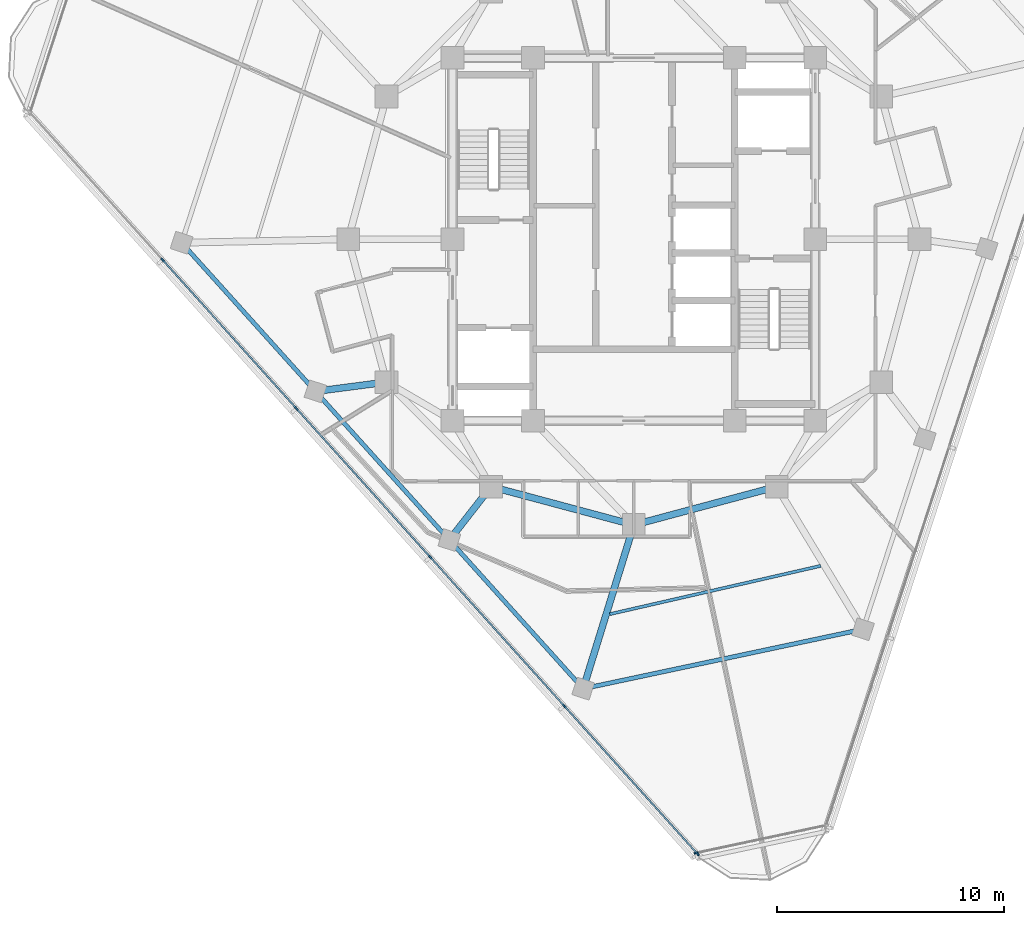
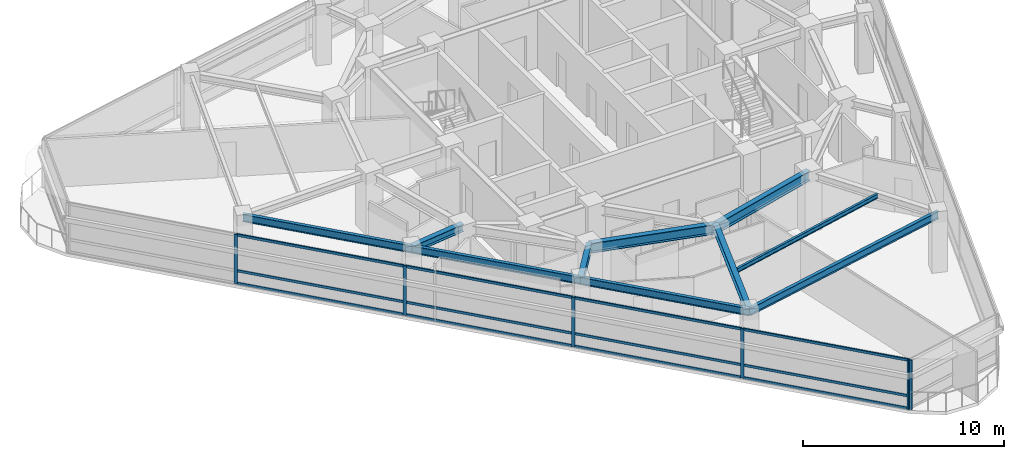
# One storey, part 2 of 15: 18 members, 10 beams, 2 elements without a shape of their own.
"""IFC4 building model written with IfcOpenShell, lengths in metres."""

from ifc_helpers import new_model, si_unit, direction, frame, origin, origin_2d, place, context, subcontext, project, spatial, rectangle, i_section, extrude, material, layer, layer_set, material_profile, profile_set, type_object, element, aggregate, save


model = new_model("IFC4")

# Units and contexts
model_context = context("Model", 3, precision=1e-05, world=origin(), true_north=direction((0.0, 1.0)))
body_context = subcontext(model_context, "Body", "Model", "MODEL_VIEW")
ifc_project = project(units=[si_unit("LENGTHUNIT", "METRE"), si_unit("AREAUNIT", "SQUARE_METRE"), si_unit("VOLUMEUNIT", "CUBIC_METRE"), si_unit("PLANEANGLEUNIT", "RADIAN"), si_unit("MASSUNIT", "GRAM", prefix="KILO")], contexts=[model_context])

# Site, building, storey
site_placement = place(None, origin())
site = spatial("IfcSite", under=ifc_project, at=site_placement, CompositionType="ELEMENT")
building_placement = place(site_placement, origin())
building = spatial("IfcBuilding", under=site, at=building_placement, Name="Terralouvre Media Tower", CompositionType="ELEMENT")
storey_placement = place(building_placement, frame((0.0, 0.0, 283.199951171875)))
storey = spatial("IfcBuildingStorey", under=building, at=storey_placement, Name="L73", CompositionType="ELEMENT", Elevation=283.199951171875)

# Beam
ifc_material_1 = material(Name="Structural steel S355J2", Category="steel")
ifc_material_profile_1 = material_profile(ifc_material_1, i_section(OverallWidth=0.135009765625, OverallDepth=0.27001953125, WebThickness=0.006591796875, FlangeThickness=0.01025390625, at=origin_2d()), Name="IPE 270")
ifc_profile_set_1 = profile_set([ifc_material_profile_1], Name="Structural steel S355J2")
beam_type_1 = type_object("IfcBeamType", Name="Composite Floor Joist J-IPE270 (IPE 270)", PredefinedType="JOIST", material=ifc_profile_set_1)
beam_1_placement = place(storey_placement, frame((-1.062744140625, -16.534912109375, 3.364990234375), z_axis=(0.974794010314, 0.223106784873, 0.0), x_axis=(-0.223106784873, 0.974794010314, 0.0)))
element("IfcBeam", 1, at=beam_1_placement, inside=storey, type_object=beam_type_1, Name="L73 Framing Beam JT-L73-02", PredefinedType="JOIST", context=body_context, shape_type="SweptSolid", body=[
    extrude(i_section(OverallWidth=0.135009765625, OverallDepth=0.27001953125, WebThickness=0.006591796875, FlangeThickness=0.01025390625, at=origin_2d()), origin(), (0.0, 0.0, 1.0), 9.544189453125),
])

# Curtain wall, members
ifc_material_2 = material(Name="Low-iron laminated double glazing with solar-control coating", Category="glass")
ifc_layer_1 = layer(ifc_material_2, 0.1650390625, Name="Faceted Glass-Point Crown Curtain Wall CW-06")
ifc_layer_set_1 = layer_set([ifc_layer_1], Name="Low-iron laminated double glazing with solar-control coating")
curtain_wall_type_1 = type_object("IfcCurtainWallType", Name="Faceted Glass-Point Crown Curtain Wall CW-06", PredefinedType="NOTDEFINED", material=ifc_layer_set_1)
curtain_wall_1_placement = place(storey_placement, origin())
curtain_wall_1 = element("IfcCurtainWall", 2, at=curtain_wall_1_placement, inside=storey, type_object=curtain_wall_type_1, Name="L73 Facade Curtain Wall F2", PredefinedType="NOTDEFINED")
ifc_material_3 = material(Name="Anodised extruded aluminium 6063-T6", Category="aluminium")
ifc_material_profile_2 = material_profile(ifc_material_3, rectangle(XDim=0.074951171875, YDim=0.14990234375, at=origin_2d()), Name="ALU 75x150")
ifc_profile_set_2 = profile_set([ifc_material_profile_2], Name="Anodised extruded aluminium 6063-T6")
member_type_1 = type_object("IfcMemberType", Name="Curtain-Wall Horizontal Transom TR-150", PredefinedType="USERDEFINED", material=ifc_profile_set_2)
member_1_placement = place(storey_placement, frame((-20.763671875, -0.935302734375, 0.03759765625), z_axis=(0.669121968521, -0.74315260293, 0.0), x_axis=(0.74315260293, 0.669121968521, 0.0)))
member_1 = element("IfcMember", 3, at=member_1_placement, type_object=member_type_1, Name="CW-06 transom 2.1", ObjectType="TRANSOM", PredefinedType="USERDEFINED", context=body_context, shape_type="SweptSolid", body=[
    extrude(rectangle(XDim=0.074951171875, YDim=0.14990234375, at=origin_2d()), origin(), (0.0, 0.0, 1.0), 8.749267578125),
])
member_2_placement = place(storey_placement, frame((-20.763671875, -0.935302734375, 0.800048828125), z_axis=(0.669121968521, -0.74315260293, 0.0), x_axis=(0.74315260293, 0.669121968521, 0.0)))
member_2 = element("IfcMember", 4, at=member_2_placement, type_object=member_type_1, Name="CW-06 transom 2.2", ObjectType="TRANSOM", PredefinedType="USERDEFINED", context=body_context, shape_type="SweptSolid", body=[
    extrude(rectangle(XDim=0.074951171875, YDim=0.14990234375, at=origin_2d()), origin(), (0.0, 0.0, 1.0), 8.749267578125),
])
member_3_placement = place(storey_placement, frame((-20.763671875, -0.935302734375, 2.962646484375), z_axis=(0.669121968521, -0.74315260293, 0.0), x_axis=(0.74315260293, 0.669121968521, 0.0)))
member_3 = element("IfcMember", 5, at=member_3_placement, type_object=member_type_1, Name="CW-06 transom 2.3", ObjectType="TRANSOM", PredefinedType="USERDEFINED", context=body_context, shape_type="SweptSolid", body=[
    extrude(rectangle(XDim=0.074951171875, YDim=0.14990234375, at=origin_2d()), origin(), (0.0, 0.0, 1.0), 8.749267578125),
])
member_4_placement = place(storey_placement, frame((-14.859375, -7.492919921875, 0.03759765625), z_axis=(0.669135844476, -0.743140109022, 0.0), x_axis=(0.743140109022, 0.669135844476, 0.0)))
member_4 = element("IfcMember", 6, at=member_4_placement, type_object=member_type_1, Name="CW-06 transom 3.1", ObjectType="TRANSOM", PredefinedType="USERDEFINED", context=body_context, shape_type="SweptSolid", body=[
    extrude(rectangle(XDim=0.074951171875, YDim=0.14990234375, at=origin_2d()), origin(), (0.0, 0.0, 1.0), 8.7490234375),
])
member_5_placement = place(storey_placement, frame((-14.859375, -7.492919921875, 0.800048828125), z_axis=(0.669135844476, -0.743140109022, 0.0), x_axis=(0.743140109022, 0.669135844476, 0.0)))
member_5 = element("IfcMember", 7, at=member_5_placement, type_object=member_type_1, Name="CW-06 transom 3.2", ObjectType="TRANSOM", PredefinedType="USERDEFINED", context=body_context, shape_type="SweptSolid", body=[
    extrude(rectangle(XDim=0.074951171875, YDim=0.14990234375, at=origin_2d()), origin(), (0.0, 0.0, 1.0), 8.7490234375),
])
member_6_placement = place(storey_placement, frame((-14.859375, -7.492919921875, 2.962646484375), z_axis=(0.669135844476, -0.743140109022, 0.0), x_axis=(0.743140109022, 0.669135844476, 0.0)))
member_6 = element("IfcMember", 8, at=member_6_placement, type_object=member_type_1, Name="CW-06 transom 3.3", ObjectType="TRANSOM", PredefinedType="USERDEFINED", context=body_context, shape_type="SweptSolid", body=[
    extrude(rectangle(XDim=0.074951171875, YDim=0.14990234375, at=origin_2d()), origin(), (0.0, 0.0, 1.0), 8.7490234375),
])
member_7_placement = place(storey_placement, frame((-8.954833984375, -14.050537109375, 0.03759765625), z_axis=(0.669135844476, -0.743140109022, 0.0), x_axis=(0.743140109022, 0.669135844476, 0.0)))
member_7 = element("IfcMember", 9, at=member_7_placement, type_object=member_type_1, Name="CW-06 transom 4.1", ObjectType="TRANSOM", PredefinedType="USERDEFINED", context=body_context, shape_type="SweptSolid", body=[
    extrude(rectangle(XDim=0.074951171875, YDim=0.14990234375, at=origin_2d()), origin(), (0.0, 0.0, 1.0), 8.7490234375),
])
member_8_placement = place(storey_placement, frame((-8.954833984375, -14.050537109375, 0.800048828125), z_axis=(0.669135844476, -0.743140109022, 0.0), x_axis=(0.743140109022, 0.669135844476, 0.0)))
member_8 = element("IfcMember", 10, at=member_8_placement, type_object=member_type_1, Name="CW-06 transom 4.2", ObjectType="TRANSOM", PredefinedType="USERDEFINED", context=body_context, shape_type="SweptSolid", body=[
    extrude(rectangle(XDim=0.074951171875, YDim=0.14990234375, at=origin_2d()), origin(), (0.0, 0.0, 1.0), 8.7490234375),
])
member_9_placement = place(storey_placement, frame((-8.954833984375, -14.050537109375, 2.962646484375), z_axis=(0.669135844476, -0.743140109022, 0.0), x_axis=(0.743140109022, 0.669135844476, 0.0)))
member_9 = element("IfcMember", 11, at=member_9_placement, type_object=member_type_1, Name="CW-06 transom 4.3", ObjectType="TRANSOM", PredefinedType="USERDEFINED", context=body_context, shape_type="SweptSolid", body=[
    extrude(rectangle(XDim=0.074951171875, YDim=0.14990234375, at=origin_2d()), origin(), (0.0, 0.0, 1.0), 8.7490234375),
])
member_10_placement = place(storey_placement, frame((-3.050537109375, -20.60791015625, 0.03759765625), z_axis=(0.669130389016, -0.743145021174, 0.0), x_axis=(0.743145021174, 0.669130389016, 0.0)))
member_10 = element("IfcMember", 12, at=member_10_placement, type_object=member_type_1, Name="CW-06 transom 5.1", ObjectType="TRANSOM", PredefinedType="USERDEFINED", context=body_context, shape_type="SweptSolid", body=[
    extrude(rectangle(XDim=0.074951171875, YDim=0.14990234375, at=origin_2d()), origin(), (0.0, 0.0, 1.0), 8.71142578125),
])
member_11_placement = place(storey_placement, frame((-3.050537109375, -20.60791015625, 0.800048828125), z_axis=(0.669130389016, -0.743145021174, 0.0), x_axis=(0.743145021174, 0.669130389016, 0.0)))
member_11 = element("IfcMember", 13, at=member_11_placement, type_object=member_type_1, Name="CW-06 transom 5.2", ObjectType="TRANSOM", PredefinedType="USERDEFINED", context=body_context, shape_type="SweptSolid", body=[
    extrude(rectangle(XDim=0.074951171875, YDim=0.14990234375, at=origin_2d()), origin(), (0.0, 0.0, 1.0), 8.71142578125),
])
member_12_placement = place(storey_placement, frame((-3.050537109375, -20.60791015625, 2.962646484375), z_axis=(0.669130389016, -0.743145021174, 0.0), x_axis=(0.743145021174, 0.669130389016, 0.0)))
member_12 = element("IfcMember", 14, at=member_12_placement, type_object=member_type_1, Name="CW-06 transom 5.3", ObjectType="TRANSOM", PredefinedType="USERDEFINED", context=body_context, shape_type="SweptSolid", body=[
    extrude(rectangle(XDim=0.074951171875, YDim=0.14990234375, at=origin_2d()), origin(), (0.0, 0.0, 1.0), 8.71142578125),
])
ifc_material_4 = material(Name="Anodised extruded aluminium 6063-T6", Category="aluminium")
ifc_material_profile_3 = material_profile(ifc_material_4, rectangle(XDim=0.074951171875, YDim=0.179931640625, at=origin_2d()), Name="ALU 75x180")
ifc_profile_set_3 = profile_set([ifc_material_profile_3], Name="Anodised extruded aluminium 6063-T6")
member_type_2 = type_object("IfcMemberType", Name="Curtain-Wall Vertical Mullion ML-180", PredefinedType="MULLION", material=ifc_profile_set_3)
member_13_placement = place(storey_placement, frame((-20.788818359375, -0.907470703125, 0.0), z_axis=(0.0, 0.0, 1.0), x_axis=(0.743144855036, 0.669130573531, 0.0)))
member_13 = element("IfcMember", 15, at=member_13_placement, type_object=member_type_2, Name="CW-06 mullion 2", PredefinedType="MULLION", context=body_context, shape_type="SweptSolid", body=[
    extrude(rectangle(XDim=0.074951171875, YDim=0.179931640625, at=origin_2d()), origin(), (0.0, 0.0, 1.0), 3.0),
])
member_14_placement = place(storey_placement, frame((-14.88427734375, -7.465087890625, 0.0), z_axis=(0.0, 0.0, 1.0), x_axis=(0.743144855036, 0.669130573531, 0.0)))
member_14 = element("IfcMember", 16, at=member_14_placement, type_object=member_type_2, Name="CW-06 mullion 3", PredefinedType="MULLION", context=body_context, shape_type="SweptSolid", body=[
    extrude(rectangle(XDim=0.074951171875, YDim=0.179931640625, at=origin_2d()), origin(), (0.0, 0.0, 1.0), 3.0),
])
member_15_placement = place(storey_placement, frame((-8.97998046875, -14.0224609375, 0.0), z_axis=(0.0, 0.0, 1.0), x_axis=(0.743144855036, 0.669130573531, 0.0)))
member_15 = element("IfcMember", 17, at=member_15_placement, type_object=member_type_2, Name="CW-06 mullion 4", PredefinedType="MULLION", context=body_context, shape_type="SweptSolid", body=[
    extrude(rectangle(XDim=0.074951171875, YDim=0.179931640625, at=origin_2d()), origin(), (0.0, 0.0, 1.0), 3.0),
])
member_16_placement = place(storey_placement, frame((-3.07568359375, -20.580078125, 0.0), z_axis=(0.0, 0.0, 1.0), x_axis=(0.743144855036, 0.669130573531, 0.0)))
member_16 = element("IfcMember", 18, at=member_16_placement, type_object=member_type_2, Name="CW-06 mullion 5", PredefinedType="MULLION", context=body_context, shape_type="SweptSolid", body=[
    extrude(rectangle(XDim=0.074951171875, YDim=0.179931640625, at=origin_2d()), origin(), (0.0, 0.0, 1.0), 3.0),
])
member_17_placement = place(storey_placement, frame((2.8037109375, -27.109619140625, 0.0), z_axis=(0.0, 0.0, 1.0), x_axis=(0.743144855036, 0.669130573531, 0.0)))
member_17 = element("IfcMember", 19, at=member_17_placement, type_object=member_type_2, Name="CW-06 mullion 6", PredefinedType="MULLION", context=body_context, shape_type="SweptSolid", body=[
    extrude(rectangle(XDim=0.074951171875, YDim=0.179931640625, at=origin_2d()), origin(), (0.0, 0.0, 1.0), 3.0),
])
aggregate(curtain_wall_1, [member_13, member_14, member_15, member_16, member_17, member_1, member_2, member_3, member_4, member_5, member_6, member_7, member_8, member_9, member_10, member_11, member_12])

# Curtain wall, member
ifc_material_5 = material(Name="Low-iron laminated double glazing with solar-control coating", Category="glass")
ifc_layer_2 = layer(ifc_material_5, 0.1650390625, Name="Rounded Wind-Corner Curved Glazing CW-04")
ifc_layer_set_2 = layer_set([ifc_layer_2], Name="Low-iron laminated double glazing with solar-control coating")
curtain_wall_type_2 = type_object("IfcCurtainWallType", Name="Rounded Wind-Corner Curved Glazing CW-04", PredefinedType="NOTDEFINED", material=ifc_layer_set_2)
curtain_wall_2_placement = place(storey_placement, origin())
curtain_wall_2 = element("IfcCurtainWall", 20, at=curtain_wall_2_placement, inside=storey, type_object=curtain_wall_type_2, Name="L73 Rounded Wind-Corner Curtain Wall C0", PredefinedType="NOTDEFINED")
member_18_placement = place(storey_placement, frame((2.747314453125, -27.0732421875, 0.0), z_axis=(0.0, 0.0, 1.0), x_axis=(-0.207911647592, 0.978147609922, 0.0)))
member_18 = element("IfcMember", 21, at=member_18_placement, type_object=member_type_2, Name="CW-04 mullion 1", PredefinedType="MULLION", context=body_context, shape_type="SweptSolid", body=[
    extrude(rectangle(XDim=0.074951171875, YDim=0.179931640625, at=origin_2d()), origin(), (0.0, 0.0, 1.0), 3.0),
])
aggregate(curtain_wall_2, [member_18])

# Beams
ifc_material_6 = material(Name="Structural steel S355J2", Category="steel")
ifc_material_profile_4 = material_profile(ifc_material_6, i_section(OverallWidth=0.18994140625, OverallDepth=0.449951171875, WebThickness=0.009521484375, FlangeThickness=0.0146484375, at=origin_2d()), Name="IPE 450")
ifc_profile_set_4 = profile_set([ifc_material_profile_4], Name="Structural steel S355J2")
beam_type_2 = type_object("IfcBeamType", Name="Perimeter Spandrel Beam SPB-450 (IPE 450)", PredefinedType="SPANDREL", material=ifc_profile_set_4)
for number, where, z_axis, x_axis, name in (
    (22, (-19.948974609375, -0.1513671875, 3.275146484375), (0.669117578136, -0.743156555935, 0.0), (0.743156555935, 0.669117578136, 0.0), "L73 Framing Beam BM-L73-PR01"),
    (23, (-14.044677734375, -6.708984375, 3.275146484375), (0.669146616148, -0.743130409887, 0.0), (0.743130409887, 0.669146616148, 0.0), "L73 Framing Beam BM-L73-PR02"),
    (24, (-8.14013671875, -13.266357421875, 3.275146484375), (0.669117578136, -0.743156555935, 0.0), (0.743156555935, 0.669117578136, 0.0), "L73 Framing Beam BM-L73-PR03"),
):
    element("IfcBeam", number, at=place(storey_placement, frame(where, z_axis=z_axis, x_axis=x_axis)), inside=storey, type_object=beam_type_2, Name=name, PredefinedType="SPANDREL", context=body_context, shape_type="SweptSolid", body=[
        extrude(i_section(OverallWidth=0.18994140625, OverallDepth=0.449951171875, WebThickness=0.009521484375, FlangeThickness=0.0146484375, at=origin_2d()), origin(), (0.0, 0.0, 1.0), 8.823974609375),
    ])
beam_2_placement = place(storey_placement, frame((-2.23583984375, -19.823974609375, 3.275146484375), z_axis=(0.978147391184, 0.207912676669, 0.0), x_axis=(-0.207912676669, 0.978147391184, 0.0)))
element("IfcBeam", 25, at=beam_2_placement, inside=storey, type_object=beam_type_2, Name="L73 Framing Beam BM-L73-PR04", PredefinedType="SPANDREL", context=body_context, shape_type="SweptSolid", body=[
    extrude(i_section(OverallWidth=0.18994140625, OverallDepth=0.449951171875, WebThickness=0.009521484375, FlangeThickness=0.0146484375, at=origin_2d()), origin(), (0.0, 0.0, 1.0), 12.6171875),
])
ifc_material_7 = material(Name="Structural steel S355J2", Category="steel")
ifc_material_profile_5 = material_profile(ifc_material_7, i_section(OverallWidth=0.300048828125, OverallDepth=0.449951171875, WebThickness=0.013916015625, FlangeThickness=0.02587890625, at=origin_2d()), Name="HEB 450")
ifc_profile_set_5 = profile_set([ifc_material_profile_5], Name="Structural steel S355J2")
beam_type_3 = type_object("IfcBeamType", Name="Primary Floor Girder B-HEB450 (HEB 450)", PredefinedType="BEAM", material=ifc_profile_set_5)
beam_3_placement = place(storey_placement, frame((-10.911865234375, -6.300048828125, 3.275146484375), z_axis=(-0.991587910477, -0.129434986756, 0.0), x_axis=(0.129434986756, -0.991587910477, 0.0)))
element("IfcBeam", 26, at=beam_3_placement, inside=storey, type_object=beam_type_3, Name="L73 Framing Beam BM-L73-RD02", PredefinedType="BEAM", context=body_context, shape_type="SweptSolid", body=[
    extrude(i_section(OverallWidth=0.300048828125, OverallDepth=0.449951171875, WebThickness=0.013916015625, FlangeThickness=0.02587890625, at=origin_2d()), origin(), (0.0, 0.0, 1.0), 3.159423828125),
])
beam_4_placement = place(storey_placement, frame((-6.300048828125, -10.911865234375, 3.275146484375), z_axis=(-0.615777211554, -0.787920316867, 0.0), x_axis=(0.787920316867, -0.615777211554, 0.0)))
element("IfcBeam", 27, at=beam_4_placement, inside=storey, type_object=beam_type_3, Name="L73 Framing Beam BM-L73-RD03", PredefinedType="BEAM", context=body_context, shape_type="SweptSolid", body=[
    extrude(i_section(OverallWidth=0.300048828125, OverallDepth=0.449951171875, WebThickness=0.013916015625, FlangeThickness=0.02587890625, at=origin_2d()), origin(), (0.0, 0.0, 1.0), 2.98828125),
])
beam_5_placement = place(storey_placement, frame((0.0, -12.60009765625, 3.275146484375), z_axis=(-0.295668996709, -0.955290450274, 0.0), x_axis=(0.955290450274, -0.295668996709, 0.0)))
element("IfcBeam", 28, at=beam_5_placement, inside=storey, type_object=beam_type_3, Name="L73 Framing Beam BM-L73-RD04", PredefinedType="BEAM", context=body_context, shape_type="SweptSolid", body=[
    extrude(i_section(OverallWidth=0.300048828125, OverallDepth=0.449951171875, WebThickness=0.013916015625, FlangeThickness=0.02587890625, at=origin_2d()), origin(), (0.0, 0.0, 1.0), 7.56201171875),
])
ifc_material_8 = material(Name="Structural steel S460M", Category="steel")
ifc_material_profile_6 = material_profile(ifc_material_8, i_section(OverallWidth=0.300048828125, OverallDepth=0.60009765625, WebThickness=0.015380859375, FlangeThickness=0.030029296875, at=origin_2d()), Name="HEB 600")
ifc_profile_set_6 = profile_set([ifc_material_profile_6], Name="Structural steel S460M")
beam_type_4 = type_object("IfcBeamType", Name="Primary Floor Girder B-HEB600 (HEB 600)", PredefinedType="BEAM", material=ifc_profile_set_6)
for number, where, z_axis, x_axis, name in (
    (29, (-6.300048828125, -10.911865234375, 3.199951171875), (0.965920481897, -0.258838989821, 0.0), (0.258838989821, 0.965920481897, 0.0), "L73 Framing Beam BM-L73-MR02"),
    (30, (0.0, -12.60009765625, 3.199951171875), (0.965920481897, 0.258838989821, 0.0), (-0.258838989821, 0.965920481897, 0.0), "L73 Framing Beam BM-L73-MR03"),
):
    element("IfcBeam", number, at=place(storey_placement, frame(where, z_axis=z_axis, x_axis=x_axis)), inside=storey, type_object=beam_type_4, Name=name, PredefinedType="BEAM", context=body_context, shape_type="SweptSolid", body=[
        extrude(i_section(OverallWidth=0.300048828125, OverallDepth=0.60009765625, WebThickness=0.015380859375, FlangeThickness=0.030029296875, at=origin_2d()), origin(), (0.0, 0.0, 1.0), 6.522216796875),
    ])

save(model, "model.ifc")
